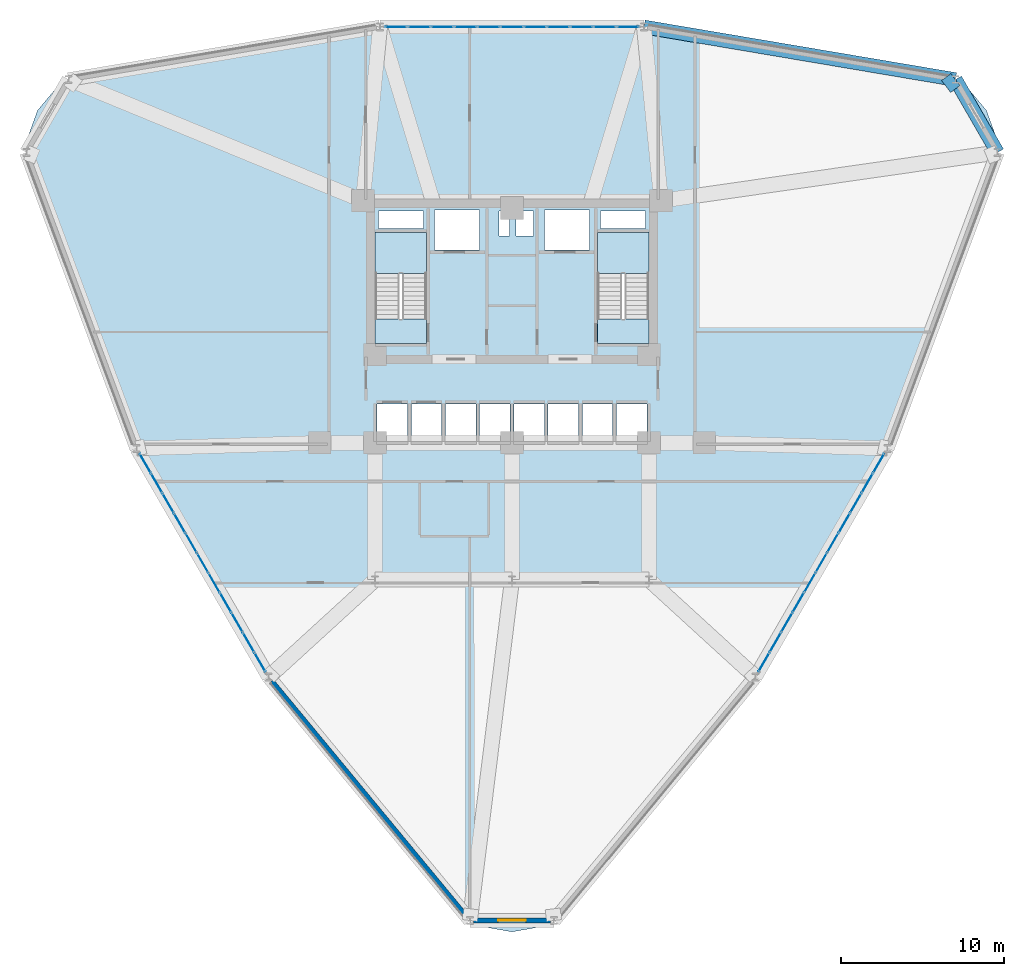
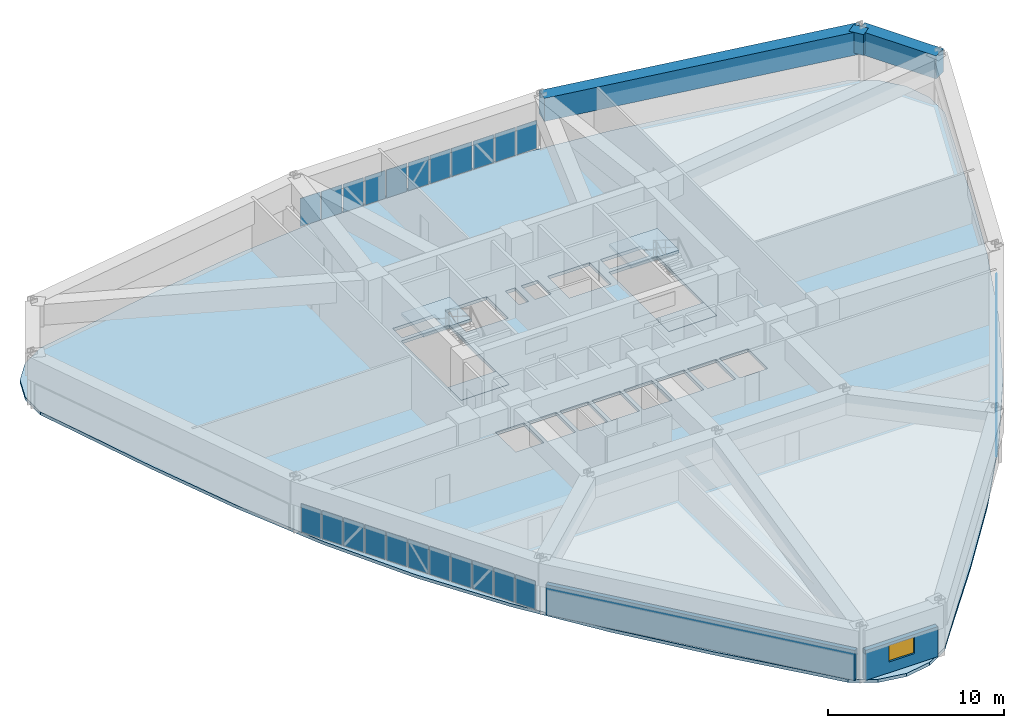
# One storey, part 14 of 20: 33 plates, 5 slabs, 3 beams, 2 walls, 1 window, 1 opening, 5 elements without a shape of their own.
"""IFC4 building model written with IfcOpenShell, lengths in metres."""

from ifc_helpers import new_model, si_unit, derived_unit, direction, frame, frame_2d, origin, origin_2d, place, context, subcontext, project, spatial, polyline, rectangle, outline, extrude, source, transform, mapped, material, layer, layer_set, material_profile, profile_set, type_object, element, fill, aggregate, save


model = new_model("IFC4")

# Units and contexts
model_context = context("Model", 3, precision=1e-05, world=origin(), true_north=direction((0.0, 1.0)))
body_context = subcontext(model_context, "Body", "Model", "MODEL_VIEW")
ifc_project = project(units=[si_unit("LENGTHUNIT", "METRE"), si_unit("AREAUNIT", "SQUARE_METRE"), si_unit("VOLUMEUNIT", "CUBIC_METRE"), si_unit("PLANEANGLEUNIT", "RADIAN"), si_unit("MASSUNIT", "GRAM", prefix="KILO"), derived_unit("THERMALTRANSMITTANCEUNIT", [(si_unit("POWERUNIT", "WATT"), 1), (si_unit("LENGTHUNIT", "METRE"), -2), (si_unit("THERMODYNAMICTEMPERATUREUNIT", "KELVIN"), -1)])], contexts=[model_context])

# Site, building, storey
site_placement = place(None, origin())
site = spatial("IfcSite", under=ifc_project, at=site_placement, CompositionType="ELEMENT")
building_placement = place(site_placement, origin())
building = spatial("IfcBuilding", under=site, at=building_placement, Name="Korsvarv Bourse and Concert Hall", CompositionType="ELEMENT")
storey_placement = place(building_placement, frame((0.0, 0.0, 31.800048828125)))
storey = spatial("IfcBuildingStorey", under=building, at=storey_placement, Name="L07", CompositionType="ELEMENT", Elevation=31.800048828125)

# Beams
ifc_material_1 = material(Name="Concrete C55/67", Category="concrete")
ifc_material_profile_1 = material_profile(ifc_material_1, rectangle(XDim=0.85009765625, YDim=1.60009765625, at=origin_2d()), Name="RC-BM 850x1600")
ifc_profile_set_1 = profile_set([ifc_material_profile_1], Name="Concrete C55/67")
beam_type_1 = type_object("IfcBeamType", Name="BM-TR1B", PredefinedType="BEAM", material=ifc_profile_set_1)
shared_shape_1 = source(origin(), body_context, "Body", "SweptSolid", [
    extrude(rectangle(XDim=0.85009765625, YDim=1.60009765625, at=origin_2d()), origin(), (0.0, 0.0, 1.0), 5.16357421875),
])
beam_1_placement = place(storey_placement, frame((65.78857421875, 50.21728515625, 2.8798828125), z_axis=(-0.499988479627, 0.866032054973, 0.0), x_axis=(-0.866032054973, -0.499988479627, 0.0)))
element("IfcBeam", 1, at=beam_1_placement, inside=storey, type_object=beam_type_1, Name="L07 beam B-TR2", PredefinedType="BEAM", context=body_context, shape_type="MappedRepresentation", body=[
    mapped(shared_shape_1, transform((0.0, 0.0, 0.0), scale=1.0)),
])
shared_shape_2 = source(origin(), body_context, "Body", "SweptSolid", [
    extrude(rectangle(XDim=0.85009765625, YDim=1.60009765625, at=origin_2d()), origin(), (0.0, 0.0, 1.0), 19.380126953125),
])
beam_2_placement = place(storey_placement, frame((63.206787109375, 54.689208984375, 2.8798828125), z_axis=(-0.986032714871, 0.166551749327, 0.0), x_axis=(-0.166551749327, -0.986032714871, 0.0)))
element("IfcBeam", 2, at=beam_2_placement, inside=storey, type_object=beam_type_1, Name="L07 beam B-TR2", PredefinedType="BEAM", context=body_context, shape_type="MappedRepresentation", body=[
    mapped(shared_shape_2, transform((0.0, 0.0, 0.0), scale=1.0)),
])
ifc_material_2 = material(Name="Concrete C50/60", Category="concrete")
ifc_material_profile_2 = material_profile(ifc_material_2, rectangle(XDim=0.919921875, YDim=1.43994140625, at=origin_2d()), Name="RC-BM 920x1440")
ifc_profile_set_2 = profile_set([ifc_material_profile_2], Name="Concrete C50/60")
beam_type_2 = type_object("IfcBeamType", Name="BM-TR-144", PredefinedType="BEAM", material=ifc_profile_set_2)
shared_shape_3 = source(origin(), body_context, "Body", "SweptSolid", [
    extrude(rectangle(XDim=0.919921875, YDim=1.43994140625, at=origin_2d()), origin(), (0.0, 0.0, 1.0), 0.71484375),
])
beam_3_placement = place(storey_placement, frame((63.206787109375, 54.689208984375, 2.9599609375), z_axis=(-0.796833023898, -0.60419957963, 0.0), x_axis=(0.60419957963, -0.796833023898, 0.0)))
element("IfcBeam", 3, at=beam_3_placement, inside=storey, type_object=beam_type_2, Name="L07 beam B-TR4", PredefinedType="BEAM", context=body_context, shape_type="MappedRepresentation", body=[
    mapped(shared_shape_3, transform((0.0, 0.0, 0.0), scale=1.0)),
])

# Slabs
ifc_material_3 = material(Name="Precast concrete C45/55", Category="concrete")
ifc_layer_1 = layer(ifc_material_3, 0.199951171875)
ifc_layer_set_1 = layer_set([ifc_layer_1], Name="Precast concrete C45/55")
slab_type_1 = type_object("IfcSlabType", Name="SLB-FLND-T", PredefinedType="LANDING", material=ifc_layer_set_1)
slab_1_placement = place(storey_placement, frame((0.0, 0.0, -0.199951171875)))
element("IfcSlab", 4, at=slab_1_placement, inside=storey, type_object=slab_type_1, Name="L07 Stair ST-T1 Floor Landing Slab", PredefinedType="LANDING", context=body_context, shape_type="SweptSolid", body=[
    extrude(outline(polyline([(30.760009765625, 38.5), (30.760009765625, 40.0), (27.60009765625, 40.0), (27.60009765625, 38.5), (30.760009765625, 38.5)])), origin(), (0.0, 0.0, 1.0), 0.199951171875),
])
slab_2_placement = place(storey_placement, frame((0.0, 0.0, -0.199951171875)))
element("IfcSlab", 5, at=slab_2_placement, inside=storey, type_object=slab_type_1, Name="L07 Stair ST-T2 Floor Landing Slab", PredefinedType="LANDING", context=body_context, shape_type="SweptSolid", body=[
    extrude(outline(polyline([(44.39990234375, 38.5), (44.39990234375, 40.0), (41.239990234375, 40.0), (41.239990234375, 38.5), (44.39990234375, 38.5)])), origin(), (0.0, 0.0, 1.0), 0.199951171875),
])

# Stair, slab
stair_type = type_object("IfcStairType", Name="STR-TYPE-03", PredefinedType="HALF_TURN_STAIR", material=ifc_material_3)
stair_1_placement = place(storey_placement, origin())
stair_1 = element("IfcStair", 6, at=stair_1_placement, inside=storey, type_object=stair_type, Name="L07 Tower West Exit Stair ST-T1", PredefinedType="HALF_TURN_STAIR")
ifc_layer_2 = layer(ifc_material_3, 0.199951171875)
ifc_layer_set_2 = layer_set([ifc_layer_2], Name="Precast concrete C45/55")
slab_type_2 = type_object("IfcSlabType", Name="SLB-ST-LND", PredefinedType="LANDING", material=ifc_layer_set_2)
slab_3_placement = place(storey_placement, frame((0.0, 0.0, 1.75)))
slab_3 = element("IfcSlab", 7, at=slab_3_placement, type_object=slab_type_2, Name="ST-T1 landing 1", PredefinedType="LANDING", context=body_context, shape_type="SweptSolid", body=[
    extrude(outline(polyline([(30.760009765625, 42.800048828125), (30.760009765625, 45.300048828125), (27.60009765625, 45.300048828125), (27.60009765625, 42.800048828125), (30.760009765625, 42.800048828125)])), origin(), (0.0, 0.0, 1.0), 0.199951171875),
])
aggregate(stair_1, [slab_3])

stair_2_placement = place(storey_placement, origin())
stair_2 = element("IfcStair", 8, at=stair_2_placement, inside=storey, type_object=stair_type, Name="L07 Tower East Exit Stair ST-T2", PredefinedType="HALF_TURN_STAIR")
slab_4_placement = place(storey_placement, frame((0.0, 0.0, 1.75)))
slab_4 = element("IfcSlab", 9, at=slab_4_placement, type_object=slab_type_2, Name="ST-T2 landing 1", PredefinedType="LANDING", context=body_context, shape_type="SweptSolid", body=[
    extrude(outline(polyline([(44.39990234375, 42.800048828125), (44.39990234375, 45.300048828125), (41.239990234375, 45.300048828125), (41.239990234375, 42.800048828125), (44.39990234375, 42.800048828125)])), origin(), (0.0, 0.0, 1.0), 0.199951171875),
])
aggregate(stair_2, [slab_4])

# Slab
ifc_material_4 = material(Name="Concrete C45/55", Category="concrete")
ifc_layer_3 = layer(ifc_material_4, 0.219970703125)
ifc_layer_set_3 = layer_set([ifc_layer_3], Name="Concrete C45/55")
slab_type_3 = type_object("IfcSlabType", Name="SLB-TW1", PredefinedType="FLOOR", material=ifc_layer_set_3)
slab_5_placement = place(storey_placement, frame((0.0, 0.0, -0.219970703125)))
element("IfcSlab", 10, at=slab_5_placement, inside=storey, type_object=slab_type_3, Name="L07 tower structural floor slab", PredefinedType="FLOOR", context=body_context, shape_type="SweptSolid", body=[
    extrude(outline(polyline([(65.048583984375, 47.712158203125), (62.943359375, 41.774169921875), (60.6953125, 35.9443359375), (58.17626953125, 30.291748046875), (55.2998046875, 24.857421875), (52.031494140625, 19.648681640625), (48.395751953125, 14.64111328125), (44.47119140625, 9.779296875), (40.38134765625, 4.9873046875), (40.376708984375, 4.981689453125), (39.17431640625, 3.548828125), (37.689208984375, 2.69140625), (36.0, 2.3935546875), (34.310791015625, 2.69140625), (32.82568359375, 3.548828125), (31.623291015625, 4.981689453125), (31.61865234375, 4.9873046875), (27.52880859375, 9.779296875), (23.604248046875, 14.64111328125), (19.968505859375, 19.648681640625), (16.7001953125, 24.857421875), (13.82373046875, 30.291748046875), (11.3046875, 35.9443359375), (9.056640625, 41.774169921875), (6.951416015625, 47.712158203125), (6.948974609375, 47.718994140625), (6.309326171875, 49.4765625), (6.309326171875, 51.19140625), (6.89599609375, 52.80322265625), (7.998291015625, 54.1171875), (9.483642578125, 54.974609375), (11.32568359375, 55.29931640625), (11.3330078125, 55.30078125), (17.52783203125, 56.446533203125), (23.700439453125, 57.414306640625), (29.855224609375, 58.059326171875), (36.0, 58.285400390625), (42.144775390625, 58.059326171875), (48.299560546875, 57.414306640625), (54.47216796875, 56.446533203125), (60.6669921875, 55.30078125), (60.67431640625, 55.29931640625), (62.516357421875, 54.974609375), (64.001708984375, 54.1171875), (65.10400390625, 52.80322265625), (65.690673828125, 51.19140625), (65.690673828125, 49.4765625), (65.051025390625, 47.718994140625), (65.048583984375, 47.712158203125)]), holes=[polyline([(30.760009765625, 38.5), (30.760009765625, 45.300048828125), (27.60009765625, 45.300048828125), (27.60009765625, 38.5), (30.760009765625, 38.5)]), polyline([(44.39990234375, 38.5), (44.39990234375, 45.300048828125), (41.239990234375, 45.300048828125), (41.239990234375, 38.5), (44.39990234375, 38.5)]), polyline([(31.239990234375, 44.219970703125), (34.0, 44.219970703125), (34.0, 46.679931640625), (31.239990234375, 46.679931640625), (31.239990234375, 44.219970703125)]), polyline([(38.0, 44.219970703125), (40.760009765625, 44.219970703125), (40.760009765625, 46.679931640625), (38.0, 46.679931640625), (38.0, 44.219970703125)]), polyline([(27.719970703125, 32.52001953125), (29.580078125, 32.52001953125), (29.580078125, 34.780029296875), (27.719970703125, 34.780029296875), (27.719970703125, 32.52001953125)]), polyline([(29.820068359375, 32.52001953125), (31.679931640625, 32.52001953125), (31.679931640625, 34.780029296875), (29.820068359375, 34.780029296875), (29.820068359375, 32.52001953125)]), polyline([(31.919921875, 32.52001953125), (33.780029296875, 32.52001953125), (33.780029296875, 34.780029296875), (31.919921875, 34.780029296875), (31.919921875, 32.52001953125)]), polyline([(34.02001953125, 32.52001953125), (35.8798828125, 32.52001953125), (35.8798828125, 34.780029296875), (34.02001953125, 34.780029296875), (34.02001953125, 32.52001953125)]), polyline([(36.1201171875, 32.52001953125), (37.97998046875, 32.52001953125), (37.97998046875, 34.780029296875), (36.1201171875, 34.780029296875), (36.1201171875, 32.52001953125)]), polyline([(38.219970703125, 32.52001953125), (40.080078125, 32.52001953125), (40.080078125, 34.780029296875), (38.219970703125, 34.780029296875), (38.219970703125, 32.52001953125)]), polyline([(40.320068359375, 32.52001953125), (42.179931640625, 32.52001953125), (42.179931640625, 34.780029296875), (40.320068359375, 34.780029296875), (40.320068359375, 32.52001953125)]), polyline([(42.419921875, 32.52001953125), (44.280029296875, 32.52001953125), (44.280029296875, 34.780029296875), (42.419921875, 34.780029296875), (42.419921875, 32.52001953125)]), polyline([(27.800048828125, 45.56005859375), (30.56005859375, 45.56005859375), (30.56005859375, 46.6201171875), (27.800048828125, 46.6201171875), (27.800048828125, 45.56005859375)]), polyline([(41.43994140625, 45.56005859375), (44.199951171875, 45.56005859375), (44.199951171875, 46.6201171875), (41.43994140625, 46.6201171875), (41.43994140625, 45.56005859375)]), polyline([(35.199951171875, 45.080078125), (35.840087890625, 45.080078125), (35.840087890625, 46.6201171875), (35.199951171875, 46.6201171875), (35.199951171875, 45.080078125)]), polyline([(36.239990234375, 45.080078125), (37.320068359375, 45.080078125), (37.320068359375, 46.6201171875), (36.239990234375, 46.6201171875), (36.239990234375, 45.080078125)])]), origin(), (0.0, 0.0, 1.0), 0.219970703125),
])

# Curtain wall, plates
ifc_material_5 = material(Name="Anodised aluminium and triple low-E glazing", Category="glass")
ifc_layer_4 = layer(ifc_material_5, 0.219970703125)
ifc_layer_set_4 = layer_set([ifc_layer_4], Name="Anodised aluminium and triple low-E glazing")
curtain_wall_type = type_object("IfcCurtainWallType", Name="CW-SYS-1", PredefinedType="NOTDEFINED", material=ifc_layer_set_4)
curtain_wall_1_placement = place(storey_placement, origin())
curtain_wall_1 = element("IfcCurtainWall", 11, at=curtain_wall_1_placement, inside=storey, type_object=curtain_wall_type, Name="L07 CW1 curtain wall CW-L07-F03", PredefinedType="NOTDEFINED")
ifc_material_6 = material(Name="Tempered triple insulated low-E architectural glass", Category="glass")
ifc_layer_5 = layer(ifc_material_6, 0.035888671875)
ifc_layer_set_5 = layer_set([ifc_layer_5], Name="Tempered triple insulated low-E architectural glass")
plate_type_1 = type_object("IfcPlateType", Name="CWP-VIS1", PredefinedType="CURTAIN_PANEL", material=ifc_layer_set_5)
shared_shape_4 = source(origin(), body_context, "Body", "SweptSolid", [
    extrude(rectangle(XDim=1.319580078125, YDim=0.035888671875, at=origin_2d()), origin(), (0.0, 0.0, 1.0), 1.949951171875),
])
plate_1_placement = place(storey_placement, frame((43.105712890625, 57.9169921875, 0.06494140625), z_axis=(0.0, 0.0, 1.0), x_axis=(-1.0, 0.0, 0.0)))
plate_1 = element("IfcPlate", 12, at=plate_1_placement, type_object=plate_type_1, Name="CW1 faceted panel 1.1", PredefinedType="CURTAIN_PANEL", context=body_context, shape_type="MappedRepresentation", body=[
    mapped(shared_shape_4, transform((0.0, 0.0, 0.0), scale=1.0)),
])
plate_2_placement = place(storey_placement, frame((28.894287109375, 57.9169921875, 0.06494140625), z_axis=(0.0, 0.0, 1.0), x_axis=(-1.0, 0.0, 0.0)))
plate_2 = element("IfcPlate", 13, at=plate_2_placement, type_object=plate_type_1, Name="CW1 faceted panel 11.1", PredefinedType="CURTAIN_PANEL", context=body_context, shape_type="MappedRepresentation", body=[
    mapped(shared_shape_4, transform((0.0, 0.0, 0.0), scale=1.0)),
])
shared_shape_5 = source(origin(), body_context, "Body", "SweptSolid", [
    extrude(rectangle(XDim=1.354736328125, YDim=0.035888671875, at=origin_2d()), origin(), (0.0, 0.0, 1.0), 1.949951171875),
])
plate_3_placement = place(storey_placement, frame((41.698486328125, 57.9169921875, 0.06494140625), z_axis=(0.0, 0.0, 1.0), x_axis=(-1.0, 0.0, 0.0)))
plate_3 = element("IfcPlate", 14, at=plate_3_placement, type_object=plate_type_1, Name="CW1 faceted panel 2.1", PredefinedType="CURTAIN_PANEL", context=body_context, shape_type="MappedRepresentation", body=[
    mapped(shared_shape_5, transform((0.0, 0.0, 0.0), scale=1.0)),
])
plate_4_placement = place(storey_placement, frame((38.849365234375, 57.9169921875, 0.06494140625), z_axis=(0.0, 0.0, 1.0), x_axis=(-1.0, 0.0, 0.0)))
plate_4 = element("IfcPlate", 15, at=plate_4_placement, type_object=plate_type_1, Name="CW1 faceted panel 4.1", PredefinedType="CURTAIN_PANEL", context=body_context, shape_type="MappedRepresentation", body=[
    mapped(shared_shape_5, transform((0.0, 0.0, 0.0), scale=1.0)),
])
plate_5_placement = place(storey_placement, frame((37.424560546875, 57.9169921875, 0.06494140625), z_axis=(0.0, 0.0, 1.0), x_axis=(-1.0, 0.0, 0.0)))
plate_5 = element("IfcPlate", 16, at=plate_5_placement, type_object=plate_type_1, Name="CW1 faceted panel 5.1", PredefinedType="CURTAIN_PANEL", context=body_context, shape_type="MappedRepresentation", body=[
    mapped(shared_shape_5, transform((0.0, 0.0, 0.0), scale=1.0)),
])
plate_6_placement = place(storey_placement, frame((34.575439453125, 57.9169921875, 0.06494140625), z_axis=(0.0, 0.0, 1.0), x_axis=(-1.0, 0.0, 0.0)))
plate_6 = element("IfcPlate", 17, at=plate_6_placement, type_object=plate_type_1, Name="CW1 faceted panel 7.1", PredefinedType="CURTAIN_PANEL", context=body_context, shape_type="MappedRepresentation", body=[
    mapped(shared_shape_5, transform((0.0, 0.0, 0.0), scale=1.0)),
])
plate_7_placement = place(storey_placement, frame((33.150634765625, 57.9169921875, 0.06494140625), z_axis=(0.0, 0.0, 1.0), x_axis=(-1.0, 0.0, 0.0)))
plate_7 = element("IfcPlate", 18, at=plate_7_placement, type_object=plate_type_1, Name="CW1 faceted panel 8.1", PredefinedType="CURTAIN_PANEL", context=body_context, shape_type="MappedRepresentation", body=[
    mapped(shared_shape_5, transform((0.0, 0.0, 0.0), scale=1.0)),
])
plate_8_placement = place(storey_placement, frame((30.301513671875, 57.9169921875, 0.06494140625), z_axis=(0.0, 0.0, 1.0), x_axis=(-1.0, 0.0, 0.0)))
plate_8 = element("IfcPlate", 19, at=plate_8_placement, type_object=plate_type_1, Name="CW1 faceted panel 10.1", PredefinedType="CURTAIN_PANEL", context=body_context, shape_type="MappedRepresentation", body=[
    mapped(shared_shape_5, transform((0.0, 0.0, 0.0), scale=1.0)),
])
ifc_material_7 = material(Name="Insulated spandrel glass", Category="glass")
ifc_layer_6 = layer(ifc_material_7, 0.031982421875)
ifc_layer_set_6 = layer_set([ifc_layer_6], Name="Insulated spandrel glass")
plate_type_2 = type_object("IfcPlateType", Name="CWP-SPD1", PredefinedType="CURTAIN_PANEL", material=ifc_layer_set_6)
shared_shape_6 = source(origin(), body_context, "Body", "SweptSolid", [
    extrude(rectangle(XDim=1.354736328125, YDim=0.031982421875, at=origin_2d()), origin(), (0.0, 0.0, 1.0), 1.949951171875),
])
plate_9_placement = place(storey_placement, frame((40.27392578125, 57.9169921875, 0.06494140625), z_axis=(0.0, 0.0, 1.0), x_axis=(-1.0, 0.0, 0.0)))
plate_9 = element("IfcPlate", 20, at=plate_9_placement, type_object=plate_type_2, Name="CW1 spandrel shadow-box panel 3.1", PredefinedType="CURTAIN_PANEL", context=body_context, shape_type="MappedRepresentation", body=[
    mapped(shared_shape_6, transform((0.0, 0.0, 0.0), scale=1.0)),
])
plate_10_placement = place(storey_placement, frame((36.0, 57.9169921875, 0.06494140625), z_axis=(0.0, 0.0, 1.0), x_axis=(-1.0, 0.0, 0.0)))
plate_10 = element("IfcPlate", 21, at=plate_10_placement, type_object=plate_type_2, Name="CW1 spandrel shadow-box panel 6.1", PredefinedType="CURTAIN_PANEL", context=body_context, shape_type="MappedRepresentation", body=[
    mapped(shared_shape_6, transform((0.0, 0.0, 0.0), scale=1.0)),
])
plate_11_placement = place(storey_placement, frame((31.72607421875, 57.9169921875, 0.06494140625), z_axis=(0.0, 0.0, 1.0), x_axis=(-1.0, 0.0, 0.0)))
plate_11 = element("IfcPlate", 22, at=plate_11_placement, type_object=plate_type_2, Name="CW1 spandrel shadow-box panel 9.1", PredefinedType="CURTAIN_PANEL", context=body_context, shape_type="MappedRepresentation", body=[
    mapped(shared_shape_6, transform((0.0, 0.0, 0.0), scale=1.0)),
])
aggregate(curtain_wall_1, [plate_1, plate_3, plate_9, plate_4, plate_5, plate_10, plate_6, plate_7, plate_11, plate_8, plate_2])

curtain_wall_2_placement = place(storey_placement, origin())
curtain_wall_2 = element("IfcCurtainWall", 23, at=curtain_wall_2_placement, inside=storey, type_object=curtain_wall_type, Name="L07 CW1 curtain wall CW-L07-F07", PredefinedType="NOTDEFINED")
shared_shape_7 = source(origin(), body_context, "Body", "SweptSolid", [
    extrude(rectangle(XDim=1.30712890625, YDim=0.035888671875, at=origin_2d()), origin(), (0.0, 0.0, 1.0), 1.949951171875),
])
plate_12_placement = place(storey_placement, frame((13.498046875, 31.140625, 0.06494140625), z_axis=(0.0, 0.0, 1.0), x_axis=(0.499994607504, -0.866028517121, 0.0)))
plate_12 = element("IfcPlate", 24, at=plate_12_placement, type_object=plate_type_1, Name="CW1 faceted panel 1.1", PredefinedType="CURTAIN_PANEL", context=body_context, shape_type="MappedRepresentation", body=[
    mapped(shared_shape_7, transform((0.0, 0.0, 0.0), scale=1.0)),
])
plate_13_placement = place(storey_placement, frame((20.54052734375, 18.9423828125, 0.06494140625), z_axis=(0.0, 0.0, 1.0), x_axis=(0.499994607504, -0.866028517121, 0.0)))
plate_13 = element("IfcPlate", 25, at=plate_13_placement, type_object=plate_type_1, Name="CW1 faceted panel 11.1", PredefinedType="CURTAIN_PANEL", context=body_context, shape_type="MappedRepresentation", body=[
    mapped(shared_shape_7, transform((0.0, 0.0, 0.0), scale=1.0)),
])

curtain_wall_3_placement = place(storey_placement, origin())
curtain_wall_3 = element("IfcCurtainWall", 26, at=curtain_wall_3_placement, inside=storey, type_object=curtain_wall_type, Name="L07 CW1 curtain wall CW-L07-F11", PredefinedType="NOTDEFINED")
plate_14_placement = place(storey_placement, frame((51.45947265625, 18.9423828125, 0.06494140625), z_axis=(0.0, 0.0, 1.0), x_axis=(0.499994607504, 0.866028517121, 0.0)))
plate_14 = element("IfcPlate", 27, at=plate_14_placement, type_object=plate_type_1, Name="CW1 faceted panel 1.1", PredefinedType="CURTAIN_PANEL", context=body_context, shape_type="MappedRepresentation", body=[
    mapped(shared_shape_7, transform((0.0, 0.0, 0.0), scale=1.0)),
])
plate_15_placement = place(storey_placement, frame((58.501953125, 31.140625, 0.06494140625), z_axis=(0.0, 0.0, 1.0), x_axis=(0.499994607504, 0.866028517121, 0.0)))
plate_15 = element("IfcPlate", 28, at=plate_15_placement, type_object=plate_type_1, Name="CW1 faceted panel 11.1", PredefinedType="CURTAIN_PANEL", context=body_context, shape_type="MappedRepresentation", body=[
    mapped(shared_shape_7, transform((0.0, 0.0, 0.0), scale=1.0)),
])

# Plate
shared_shape_8 = source(origin(), body_context, "Body", "SweptSolid", [
    extrude(rectangle(XDim=1.342041015625, YDim=0.035888671875, at=origin_2d()), origin(), (0.0, 0.0, 1.0), 1.949951171875),
])
plate_16_placement = place(storey_placement, frame((14.1953125, 29.932861328125, 0.06494140625), z_axis=(0.0, 0.0, 1.0), x_axis=(0.499994607504, -0.866028517121, 0.0)))
plate_16 = element("IfcPlate", 29, at=plate_16_placement, type_object=plate_type_1, Name="CW1 faceted panel 2.1", PredefinedType="CURTAIN_PANEL", context=body_context, shape_type="MappedRepresentation", body=[
    mapped(shared_shape_8, transform((0.0, 0.0, 0.0), scale=1.0)),
])

plate_17_placement = place(storey_placement, frame((15.607177734375, 27.487060546875, 0.06494140625), z_axis=(0.0, 0.0, 1.0), x_axis=(0.499994607504, -0.866028517121, 0.0)))
plate_17 = element("IfcPlate", 30, at=plate_17_placement, type_object=plate_type_1, Name="CW1 faceted panel 4.1", PredefinedType="CURTAIN_PANEL", context=body_context, shape_type="MappedRepresentation", body=[
    mapped(shared_shape_8, transform((0.0, 0.0, 0.0), scale=1.0)),
])

plate_18_placement = place(storey_placement, frame((16.313232421875, 26.264404296875, 0.06494140625), z_axis=(0.0, 0.0, 1.0), x_axis=(0.499994607504, -0.866028517121, 0.0)))
plate_18 = element("IfcPlate", 31, at=plate_18_placement, type_object=plate_type_1, Name="CW1 faceted panel 5.1", PredefinedType="CURTAIN_PANEL", context=body_context, shape_type="MappedRepresentation", body=[
    mapped(shared_shape_8, transform((0.0, 0.0, 0.0), scale=1.0)),
])

plate_19_placement = place(storey_placement, frame((17.72509765625, 23.818603515625, 0.06494140625), z_axis=(0.0, 0.0, 1.0), x_axis=(0.499994607504, -0.866028517121, 0.0)))
plate_19 = element("IfcPlate", 32, at=plate_19_placement, type_object=plate_type_1, Name="CW1 faceted panel 7.1", PredefinedType="CURTAIN_PANEL", context=body_context, shape_type="MappedRepresentation", body=[
    mapped(shared_shape_8, transform((0.0, 0.0, 0.0), scale=1.0)),
])

plate_20_placement = place(storey_placement, frame((18.43115234375, 22.595703125, 0.06494140625), z_axis=(0.0, 0.0, 1.0), x_axis=(0.499994607504, -0.866028517121, 0.0)))
plate_20 = element("IfcPlate", 33, at=plate_20_placement, type_object=plate_type_1, Name="CW1 faceted panel 8.1", PredefinedType="CURTAIN_PANEL", context=body_context, shape_type="MappedRepresentation", body=[
    mapped(shared_shape_8, transform((0.0, 0.0, 0.0), scale=1.0)),
])

plate_21_placement = place(storey_placement, frame((19.84326171875, 20.150146484375, 0.06494140625), z_axis=(0.0, 0.0, 1.0), x_axis=(0.499994607504, -0.866028517121, 0.0)))
plate_21 = element("IfcPlate", 34, at=plate_21_placement, type_object=plate_type_1, Name="CW1 faceted panel 10.1", PredefinedType="CURTAIN_PANEL", context=body_context, shape_type="MappedRepresentation", body=[
    mapped(shared_shape_8, transform((0.0, 0.0, 0.0), scale=1.0)),
])

plate_22_placement = place(storey_placement, frame((52.15673828125, 20.150146484375, 0.06494140625), z_axis=(0.0, 0.0, 1.0), x_axis=(0.499994607504, 0.866028517121, 0.0)))
plate_22 = element("IfcPlate", 35, at=plate_22_placement, type_object=plate_type_1, Name="CW1 faceted panel 2.1", PredefinedType="CURTAIN_PANEL", context=body_context, shape_type="MappedRepresentation", body=[
    mapped(shared_shape_8, transform((0.0, 0.0, 0.0), scale=1.0)),
])

plate_23_placement = place(storey_placement, frame((53.56884765625, 22.595703125, 0.06494140625), z_axis=(0.0, 0.0, 1.0), x_axis=(0.499994607504, 0.866028517121, 0.0)))
plate_23 = element("IfcPlate", 36, at=plate_23_placement, type_object=plate_type_1, Name="CW1 faceted panel 4.1", PredefinedType="CURTAIN_PANEL", context=body_context, shape_type="MappedRepresentation", body=[
    mapped(shared_shape_8, transform((0.0, 0.0, 0.0), scale=1.0)),
])

plate_24_placement = place(storey_placement, frame((54.27490234375, 23.818603515625, 0.06494140625), z_axis=(0.0, 0.0, 1.0), x_axis=(0.499994607504, 0.866028517121, 0.0)))
plate_24 = element("IfcPlate", 37, at=plate_24_placement, type_object=plate_type_1, Name="CW1 faceted panel 5.1", PredefinedType="CURTAIN_PANEL", context=body_context, shape_type="MappedRepresentation", body=[
    mapped(shared_shape_8, transform((0.0, 0.0, 0.0), scale=1.0)),
])

plate_25_placement = place(storey_placement, frame((55.686767578125, 26.264404296875, 0.06494140625), z_axis=(0.0, 0.0, 1.0), x_axis=(0.499994607504, 0.866028517121, 0.0)))
plate_25 = element("IfcPlate", 38, at=plate_25_placement, type_object=plate_type_1, Name="CW1 faceted panel 7.1", PredefinedType="CURTAIN_PANEL", context=body_context, shape_type="MappedRepresentation", body=[
    mapped(shared_shape_8, transform((0.0, 0.0, 0.0), scale=1.0)),
])

plate_26_placement = place(storey_placement, frame((56.392822265625, 27.487060546875, 0.06494140625), z_axis=(0.0, 0.0, 1.0), x_axis=(0.499994607504, 0.866028517121, 0.0)))
plate_26 = element("IfcPlate", 39, at=plate_26_placement, type_object=plate_type_1, Name="CW1 faceted panel 8.1", PredefinedType="CURTAIN_PANEL", context=body_context, shape_type="MappedRepresentation", body=[
    mapped(shared_shape_8, transform((0.0, 0.0, 0.0), scale=1.0)),
])

plate_27_placement = place(storey_placement, frame((57.8046875, 29.932861328125, 0.06494140625), z_axis=(0.0, 0.0, 1.0), x_axis=(0.499994607504, 0.866028517121, 0.0)))
plate_27 = element("IfcPlate", 40, at=plate_27_placement, type_object=plate_type_1, Name="CW1 faceted panel 10.1", PredefinedType="CURTAIN_PANEL", context=body_context, shape_type="MappedRepresentation", body=[
    mapped(shared_shape_8, transform((0.0, 0.0, 0.0), scale=1.0)),
])

shared_shape_9 = source(origin(), body_context, "Body", "SweptSolid", [
    extrude(rectangle(XDim=1.342041015625, YDim=0.031982421875, at=origin_2d()), origin(), (0.0, 0.0, 1.0), 1.949951171875),
])
plate_28_placement = place(storey_placement, frame((14.901123046875, 28.7099609375, 0.06494140625), z_axis=(0.0, 0.0, 1.0), x_axis=(0.499994607504, -0.866028517121, 0.0)))
plate_28 = element("IfcPlate", 41, at=plate_28_placement, type_object=plate_type_2, Name="CW1 spandrel shadow-box panel 3.1", PredefinedType="CURTAIN_PANEL", context=body_context, shape_type="MappedRepresentation", body=[
    mapped(shared_shape_9, transform((0.0, 0.0, 0.0), scale=1.0)),
])

plate_29_placement = place(storey_placement, frame((17.019287109375, 25.04150390625, 0.06494140625), z_axis=(0.0, 0.0, 1.0), x_axis=(0.499994607504, -0.866028517121, 0.0)))
plate_29 = element("IfcPlate", 42, at=plate_29_placement, type_object=plate_type_2, Name="CW1 spandrel shadow-box panel 6.1", PredefinedType="CURTAIN_PANEL", context=body_context, shape_type="MappedRepresentation", body=[
    mapped(shared_shape_9, transform((0.0, 0.0, 0.0), scale=1.0)),
])

plate_30_placement = place(storey_placement, frame((19.13720703125, 21.372802734375, 0.06494140625), z_axis=(0.0, 0.0, 1.0), x_axis=(0.499994607504, -0.866028517121, 0.0)))
plate_30 = element("IfcPlate", 43, at=plate_30_placement, type_object=plate_type_2, Name="CW1 spandrel shadow-box panel 9.1", PredefinedType="CURTAIN_PANEL", context=body_context, shape_type="MappedRepresentation", body=[
    mapped(shared_shape_9, transform((0.0, 0.0, 0.0), scale=1.0)),
])

aggregate(curtain_wall_2, [plate_12, plate_16, plate_28, plate_17, plate_18, plate_29, plate_19, plate_20, plate_30, plate_21, plate_13])

plate_31_placement = place(storey_placement, frame((52.86279296875, 21.372802734375, 0.06494140625), z_axis=(0.0, 0.0, 1.0), x_axis=(0.499994607504, 0.866028517121, 0.0)))
plate_31 = element("IfcPlate", 44, at=plate_31_placement, type_object=plate_type_2, Name="CW1 spandrel shadow-box panel 3.1", PredefinedType="CURTAIN_PANEL", context=body_context, shape_type="MappedRepresentation", body=[
    mapped(shared_shape_9, transform((0.0, 0.0, 0.0), scale=1.0)),
])

plate_32_placement = place(storey_placement, frame((54.980712890625, 25.04150390625, 0.06494140625), z_axis=(0.0, 0.0, 1.0), x_axis=(0.499994607504, 0.866028517121, 0.0)))
plate_32 = element("IfcPlate", 45, at=plate_32_placement, type_object=plate_type_2, Name="CW1 spandrel shadow-box panel 6.1", PredefinedType="CURTAIN_PANEL", context=body_context, shape_type="MappedRepresentation", body=[
    mapped(shared_shape_9, transform((0.0, 0.0, 0.0), scale=1.0)),
])

plate_33_placement = place(storey_placement, frame((57.098876953125, 28.7099609375, 0.06494140625), z_axis=(0.0, 0.0, 1.0), x_axis=(0.499994607504, 0.866028517121, 0.0)))
plate_33 = element("IfcPlate", 46, at=plate_33_placement, type_object=plate_type_2, Name="CW1 spandrel shadow-box panel 9.1", PredefinedType="CURTAIN_PANEL", context=body_context, shape_type="MappedRepresentation", body=[
    mapped(shared_shape_9, transform((0.0, 0.0, 0.0), scale=1.0)),
])

aggregate(curtain_wall_3, [plate_14, plate_22, plate_31, plate_23, plate_24, plate_32, plate_25, plate_26, plate_33, plate_27, plate_15])

# Wall, opening, window
ifc_material_8 = material(Name="Precast concrete C45/55 with terracotta rainscreen", Category="concrete")
ifc_layer_7 = layer(ifc_material_8, 0.300048828125)
ifc_layer_set_7 = layer_set([ifc_layer_7], Name="Precast concrete C45/55 with terracotta rainscreen")
wall_type_1 = type_object("IfcWallType", Name="WL-EXT-TC1", PredefinedType="SOLIDWALL", material=ifc_layer_set_7)
wall_1_placement = place(storey_placement, frame((33.635009765625, 3.09375, 0.0), z_axis=(0.0, 0.0, 1.0), x_axis=(1.0, 0.0, 0.0)))
wall_1 = element("IfcWall", 47, at=wall_1_placement, inside=storey, type_object=wall_type_1, Name="L07 terracotta exterior wall EW-L07-B09", PredefinedType="SOLIDWALL", context=body_context, shape_type="SweptSolid", body=[
    extrude(rectangle(XDim=4.72998046875, YDim=0.300048828125, at=frame_2d((2.364990234375, 0.0))), origin(), (0.0, 0.0, 1.0), 2.079833984375),
])
opening_placement = place(wall_1_placement, frame((1.514892578125, 0.0, 0.75)))
opening = element("IfcOpeningElement", 48, at=opening_placement, cuts=wall_1, Name="Opening W-06", PredefinedType="OPENING", context=body_context, shape_type="SweptSolid", body=[
    extrude(rectangle(XDim=1.699951171875, YDim=1.14990234375, at=frame_2d((0.85009765625, 0.574951171875))), frame((0.0, 0.16015625, 0.0), z_axis=(0.0, -1.0, 0.0), x_axis=(1.0, 0.0, 0.0)), (0.0, 0.0, 1.0), 0.320068359375),
])
ifc_material_9 = material(Name="Thermally broken aluminium frame with triple low-E glass", Category="glass")
window_type = type_object("IfcWindowType", Name="WIN-TW1-1700X1150", PartitioningType="SINGLE_PANEL", PredefinedType="WINDOW", material=ifc_material_9)
window_placement = place(opening_placement, origin())
window = element("IfcWindow", 49, at=window_placement, inside=storey, type_object=window_type, Name="L07 punched facade window W-06", OverallHeight=1.14990234375, OverallWidth=1.699951171875, PartitioningType="SINGLE_PANEL", PredefinedType="WINDOW", context=body_context, shape_type="SweptSolid", body=[
    extrude(rectangle(XDim=1.699951171875, YDim=1.14990234375, at=frame_2d((0.85009765625, 0.574951171875))), frame((0.0, 0.030029296875, 0.0), z_axis=(0.0, -1.0, 0.0), x_axis=(1.0, 0.0, 0.0)), (0.0, 0.0, 1.0), 0.06005859375),
])
fill(opening, window)

# Wall
ifc_material_10 = material(Name="Precast concrete C45/55 with fluted terracotta pier", Category="concrete")
ifc_layer_8 = layer(ifc_material_10, 0.280029296875)
ifc_layer_set_8 = layer_set([ifc_layer_8], Name="Precast concrete C45/55 with fluted terracotta pier")
wall_type_2 = type_object("IfcWallType", Name="WL-EXT-TC2", PredefinedType="SOLIDWALL", material=ifc_layer_set_8)
wall_2_placement = place(storey_placement, frame((21.26806640625, 17.786865234375, 0.0), z_axis=(0.0, 0.0, 1.0), x_axis=(0.637262575447, -0.770646747826, 0.0)))
element("IfcWall", 50, at=wall_2_placement, inside=storey, type_object=wall_type_2, Name="L07 terracotta exterior wall EW-L07-B08", PredefinedType="SOLIDWALL", context=body_context, shape_type="SweptSolid", body=[
    extrude(rectangle(XDim=18.751953125, YDim=0.280029296875, at=frame_2d((9.3759765625, 0.0))), origin(), (0.0, 0.0, 1.0), 2.079833984375),
])

save(model, "model.ifc")
